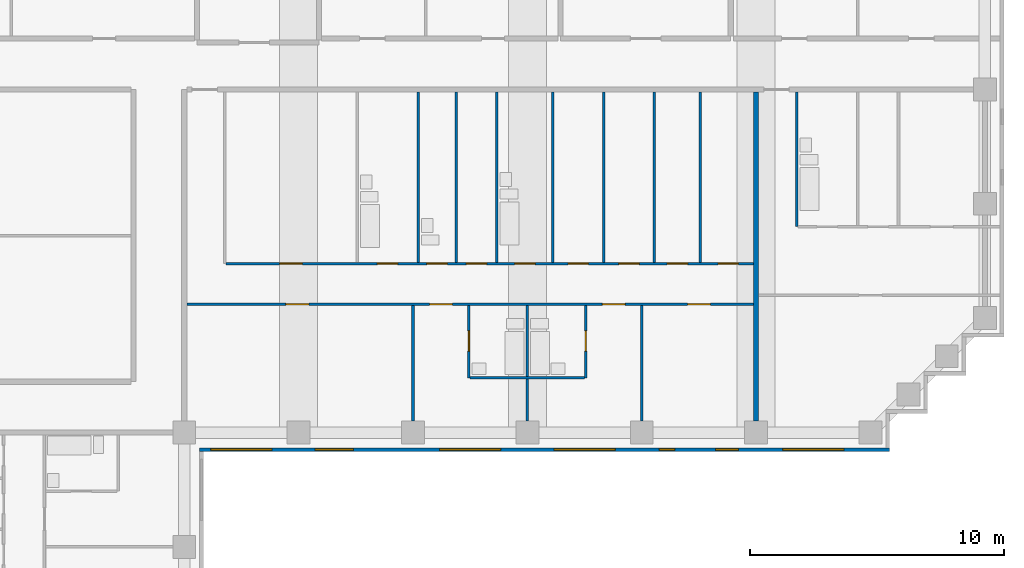
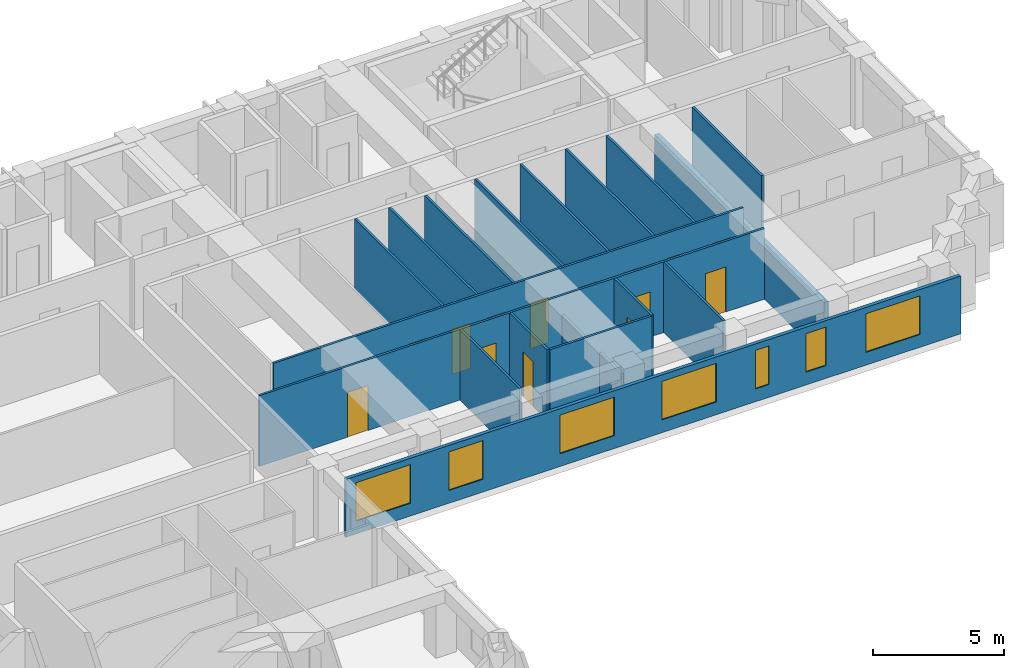
# One storey, part 6 of 10: 18 walls, 15 doors, 7 windows, 22 openings.
"""IFC4 building model written with IfcOpenShell, lengths in metres."""

from ifc_helpers import new_model, si_unit, direction, frame, frame_2d, origin, place, context, subcontext, project, spatial, rectangle, extrude, material, layer, layer_set, type_object, element, fill, save


model = new_model("IFC4")

# Units and contexts
model_context = context("Model", 3, precision=1e-05, world=origin(), true_north=direction((0.0, 1.0)))
body_context = subcontext(model_context, "Body", "Model", "MODEL_VIEW")
ifc_project = project(units=[si_unit("LENGTHUNIT", "METRE"), si_unit("AREAUNIT", "SQUARE_METRE"), si_unit("VOLUMEUNIT", "CUBIC_METRE"), si_unit("PLANEANGLEUNIT", "RADIAN"), si_unit("MASSUNIT", "GRAM", prefix="KILO")], contexts=[model_context])

# Site, building, storey
site_placement = place(None, origin())
site = spatial("IfcSite", under=ifc_project, at=site_placement, CompositionType="ELEMENT")
building_placement = place(site_placement, origin())
building = spatial("IfcBuilding", under=site, at=building_placement, Name="Firuza Court", CompositionType="ELEMENT")
storey_placement = place(building_placement, frame((0.0, 0.0, 197.0)))
storey = spatial("IfcBuildingStorey", under=building, at=storey_placement, Name="L50", CompositionType="ELEMENT", Elevation=197.0)

# Wall, opening, door
ifc_material_1 = material(Name="Moisture-resistant gypsum board partition")
ifc_layer_1 = layer(ifc_material_1, 0.10009765625)
ifc_layer_set_1 = layer_set([ifc_layer_1], Name="Moisture-resistant gypsum board partition")
wall_type_1 = type_object("IfcWallType", Name="Bathroom partition 100", PredefinedType="PLUMBINGWALL", material=ifc_layer_set_1)
wall_1_placement = place(storey_placement, frame((33.699951171875, 38.14990234375, 0.0), z_axis=(0.0, 0.0, 1.0), x_axis=(0.0, 1.0, 0.0)))
wall_1 = element("IfcWall", 1, at=wall_1_placement, inside=storey, type_object=wall_type_1, Name="Bathroom partition 100 L50", PredefinedType="PLUMBINGWALL", context=body_context, shape_type="SweptSolid", body=[
    extrude(rectangle(XDim=2.85009765625, YDim=0.10009765625, at=frame_2d((1.425048828125, 0.0))), origin(), (0.0, 0.0, 1.0), 3.300048828125),
])
opening_1_placement = place(wall_1_placement, frame((1.050048828125, 0.0, 0.0)))
opening_1 = element("IfcOpeningElement", 2, at=opening_1_placement, cuts=wall_1, Name="Opening D50037", PredefinedType="OPENING", context=body_context, shape_type="SweptSolid", body=[
    extrude(rectangle(XDim=0.800048828125, YDim=2.10009765625, at=frame_2d((0.39990234375, 1.050048828125))), frame((0.0, 0.06201171875, 0.0), z_axis=(0.0, -1.0, 0.0), x_axis=(1.0, 0.0, 0.0)), (0.0, 0.0, 1.0), 0.1240234375),
])
ifc_material_2 = material(Name="Timber door leaf in hardwood frame", Category="wood")
door_type_1 = type_object("IfcDoorType", Name="Bathroom door 800", OperationType="SINGLE_SWING_LEFT", PredefinedType="DOOR", material=ifc_material_2)
door_1_placement = place(opening_1_placement, frame((0.800048828125, 0.0, 0.0), z_axis=(0.0, 0.0, 1.0), x_axis=(-1.0, 0.0, 0.0)))
door_1 = element("IfcDoor", 3, at=door_1_placement, inside=storey, type_object=door_type_1, Name="En-suite door", OperationType="SINGLE_SWING_RIGHT", OverallHeight=2.10009765625, OverallWidth=0.800048828125, PredefinedType="DOOR", context=body_context, shape_type="SweptSolid", body=[
    extrude(rectangle(XDim=0.800048828125, YDim=2.10009765625, at=frame_2d((0.39990234375, 1.050048828125))), frame((0.0, 0.02490234375, 0.0), z_axis=(0.0, -1.0, 0.0), x_axis=(1.0, 0.0, 0.0)), (0.0, 0.0, 1.0), 0.050048828125),
])
fill(opening_1, door_1)

# Wall
wall_2_placement = place(storey_placement, frame((33.75, 38.14990234375, 0.0), z_axis=(0.0, 0.0, 1.0), x_axis=(1.0, 0.0, 0.0)))
element("IfcWall", 4, at=wall_2_placement, inside=storey, type_object=wall_type_1, Name="Bathroom partition 100 L50", PredefinedType="PLUMBINGWALL", context=body_context, shape_type="SweptSolid", body=[
    extrude(rectangle(XDim=4.5, YDim=0.10009765625, at=frame_2d((2.25, 0.0))), origin(), (0.0, 0.0, 1.0), 3.300048828125),
])

# Wall, opening, door
wall_3_placement = place(storey_placement, frame((38.300048828125, 38.14990234375, 0.0), z_axis=(0.0, 0.0, 1.0), x_axis=(0.0, 1.0, 0.0)))
wall_3 = element("IfcWall", 5, at=wall_3_placement, inside=storey, type_object=wall_type_1, Name="Bathroom partition 100 L50", PredefinedType="PLUMBINGWALL", context=body_context, shape_type="SweptSolid", body=[
    extrude(rectangle(XDim=2.85009765625, YDim=0.10009765625, at=frame_2d((1.425048828125, 0.0))), origin(), (0.0, 0.0, 1.0), 3.300048828125),
])
opening_2_placement = place(wall_3_placement, frame((1.050048828125, 0.0, 0.0)))
opening_2 = element("IfcOpeningElement", 6, at=opening_2_placement, cuts=wall_3, Name="Opening D50038", PredefinedType="OPENING", context=body_context, shape_type="SweptSolid", body=[
    extrude(rectangle(XDim=0.800048828125, YDim=2.10009765625, at=frame_2d((0.39990234375, 1.050048828125))), frame((0.0, 0.06201171875, 0.0), z_axis=(0.0, -1.0, 0.0), x_axis=(1.0, 0.0, 0.0)), (0.0, 0.0, 1.0), 0.1240234375),
])
door_2_placement = place(opening_2_placement, origin())
door_2 = element("IfcDoor", 7, at=door_2_placement, inside=storey, type_object=door_type_1, Name="En-suite door", OperationType="SINGLE_SWING_LEFT", OverallHeight=2.10009765625, OverallWidth=0.800048828125, PredefinedType="DOOR", context=body_context, shape_type="SweptSolid", body=[
    extrude(rectangle(XDim=0.800048828125, YDim=2.10009765625, at=frame_2d((0.39990234375, 1.050048828125))), frame((0.0, 0.02490234375, 0.0), z_axis=(0.0, -1.0, 0.0), x_axis=(1.0, 0.0, 0.0)), (0.0, 0.0, 1.0), 0.050048828125),
])
fill(opening_2, door_2)

# Walls
for number, where, z_axis, x_axis, name in (
    (8, (31.699951171875, 42.699951171875, 0.0), (0.0, 0.0, 1.0), (0.0, 1.0, 0.0), "Bathroom partition 100 L50"),
    (9, (33.199951171875, 42.699951171875, 0.0), (0.0, 0.0, 1.0), (0.0, 1.0, 0.0), "Bathroom partition 100 L50"),
    (10, (34.800048828125, 42.699951171875, 0.0), (0.0, 0.0, 1.0), (0.0, 1.0, 0.0), "Bathroom partition 100 L50"),
    (11, (37.0, 42.699951171875, 0.0), (0.0, 0.0, 1.0), (0.0, 1.0, 0.0), "Bathroom partition 100 L50"),
):
    element("IfcWall", number, at=place(storey_placement, frame(where, z_axis=z_axis, x_axis=x_axis)), inside=storey, type_object=wall_type_1, Name=name, PredefinedType="PLUMBINGWALL", context=body_context, shape_type="SweptSolid", body=[
        extrude(rectangle(XDim=6.699951171875, YDim=0.10009765625, at=frame_2d((3.35009765625, 0.0))), origin(), (0.0, 0.0, 1.0), 3.300048828125),
    ])
wall_4_placement = place(storey_placement, frame((46.60009765625, 44.10009765625, 0.0), z_axis=(0.0, 0.0, 1.0), x_axis=(0.0, 1.0, 0.0)))
element("IfcWall", 12, at=wall_4_placement, inside=storey, type_object=wall_type_1, Name="Bathroom partition 100 L50", PredefinedType="PLUMBINGWALL", context=body_context, shape_type="SweptSolid", body=[
    extrude(rectangle(XDim=5.2998046875, YDim=0.10009765625, at=frame_2d((2.64990234375, 0.0))), origin(), (0.0, 0.0, 1.0), 3.300048828125),
])
ifc_material_3 = material(Name="Timber stud partition, plasterboard both sides", Category="wood")
ifc_layer_2 = layer(ifc_material_3, 0.10009765625)
ifc_layer_set_2 = layer_set([ifc_layer_2], Name="Timber stud partition, plasterboard both sides")
wall_type_2 = type_object("IfcWallType", Name="Partition wall 100", PredefinedType="PARTITIONING", material=ifc_layer_set_2)
wall_5_placement = place(storey_placement, frame((31.5, 36.449951171875, 0.0), z_axis=(0.0, 0.0, 1.0), x_axis=(0.0, 1.0, 0.0)))
element("IfcWall", 13, at=wall_5_placement, inside=storey, type_object=wall_type_2, Name="Partition wall 100 L50", PredefinedType="PARTITIONING", context=body_context, shape_type="SweptSolid", body=[
    extrude(rectangle(XDim=4.550048828125, YDim=0.10009765625, at=frame_2d((2.27490234375, 0.0))), origin(), (0.0, 0.0, 1.0), 3.300048828125),
])
wall_6_placement = place(storey_placement, frame((36.0, 36.449951171875, 0.0), z_axis=(0.0, 0.0, 1.0), x_axis=(0.0, 1.0, 0.0)))
element("IfcWall", 14, at=wall_6_placement, inside=storey, type_object=wall_type_2, Name="Partition wall 100 L50", PredefinedType="PARTITIONING", context=body_context, shape_type="SweptSolid", body=[
    extrude(rectangle(XDim=4.550048828125, YDim=0.10009765625, at=frame_2d((2.27490234375, 0.0))), origin(), (0.0, 0.0, 1.0), 2.39990234375),
])
wall_7_placement = place(storey_placement, frame((40.5, 36.449951171875, 0.0), z_axis=(0.0, 0.0, 1.0), x_axis=(0.0, 1.0, 0.0)))
element("IfcWall", 15, at=wall_7_placement, inside=storey, type_object=wall_type_2, Name="Partition wall 100 L50", PredefinedType="PARTITIONING", context=body_context, shape_type="SweptSolid", body=[
    extrude(rectangle(XDim=4.550048828125, YDim=0.10009765625, at=frame_2d((2.27490234375, 0.0))), origin(), (0.0, 0.0, 1.0), 3.300048828125),
])

# Wall, openings, doors
wall_8_placement = place(storey_placement, frame((22.60009765625, 41.050048828125, 0.0), z_axis=(0.0, 0.0, 1.0), x_axis=(1.0, 0.0, 0.0)))
wall_8 = element("IfcWall", 16, at=wall_8_placement, inside=storey, type_object=wall_type_2, Name="Partition wall 100 L50", PredefinedType="PARTITIONING", context=body_context, shape_type="SweptSolid", body=[
    extrude(rectangle(XDim=22.2998046875, YDim=0.10009765625, at=frame_2d((11.14990234375, 0.0))), origin(), (0.0, 0.0, 1.0), 3.300048828125),
])
opening_3_placement = place(wall_8_placement, frame((3.89990234375, 0.0, 0.0)))
opening_3 = element("IfcOpeningElement", 17, at=opening_3_placement, cuts=wall_8, Name="Opening D50039", PredefinedType="OPENING", context=body_context, shape_type="SweptSolid", body=[
    extrude(rectangle(XDim=0.89990234375, YDim=2.10009765625, at=frame_2d((0.449951171875, 1.050048828125))), frame((0.0, 0.06201171875, 0.0), z_axis=(0.0, -1.0, 0.0), x_axis=(1.0, 0.0, 0.0)), (0.0, 0.0, 1.0), 0.1240234375),
])
opening_4_placement = place(wall_8_placement, frame((9.550048828125, 0.0, 0.0)))
opening_4 = element("IfcOpeningElement", 18, at=opening_4_placement, cuts=wall_8, Name="Opening D50040", PredefinedType="OPENING", context=body_context, shape_type="SweptSolid", body=[
    extrude(rectangle(XDim=0.89990234375, YDim=2.10009765625, at=frame_2d((0.449951171875, 1.050048828125))), frame((0.0, 0.06201171875, 0.0), z_axis=(0.0, -1.0, 0.0), x_axis=(1.0, 0.0, 0.0)), (0.0, 0.0, 1.0), 0.1240234375),
])
opening_5_placement = place(wall_8_placement, frame((16.35009765625, 0.0, 0.0)))
opening_5 = element("IfcOpeningElement", 19, at=opening_5_placement, cuts=wall_8, Name="Opening D50041", PredefinedType="OPENING", context=body_context, shape_type="SweptSolid", body=[
    extrude(rectangle(XDim=0.89990234375, YDim=2.10009765625, at=frame_2d((0.449951171875, 1.050048828125))), frame((0.0, 0.06201171875, 0.0), z_axis=(0.0, -1.0, 0.0), x_axis=(1.0, 0.0, 0.0)), (0.0, 0.0, 1.0), 0.1240234375),
])
opening_6_placement = place(wall_8_placement, frame((19.699951171875, 0.0, 0.0)))
opening_6 = element("IfcOpeningElement", 20, at=opening_6_placement, cuts=wall_8, Name="Opening D50042", PredefinedType="OPENING", context=body_context, shape_type="SweptSolid", body=[
    extrude(rectangle(XDim=0.89990234375, YDim=2.10009765625, at=frame_2d((0.449951171875, 1.050048828125))), frame((0.0, 0.06201171875, 0.0), z_axis=(0.0, -1.0, 0.0), x_axis=(1.0, 0.0, 0.0)), (0.0, 0.0, 1.0), 0.1240234375),
])
ifc_material_4 = material(Name="Timber door leaf in hardwood frame", Category="wood")
door_type_2 = type_object("IfcDoorType", Name="Room door 900", OperationType="SINGLE_SWING_LEFT", PredefinedType="DOOR", material=ifc_material_4)
door_3_placement = place(opening_3_placement, frame((0.89990234375, 0.0, 0.0), z_axis=(0.0, 0.0, 1.0), x_axis=(-1.0, 0.0, 0.0)))
door_3 = element("IfcDoor", 21, at=door_3_placement, inside=storey, type_object=door_type_2, Name="Living room door", OperationType="SINGLE_SWING_RIGHT", OverallHeight=2.10009765625, OverallWidth=0.89990234375, PredefinedType="DOOR", context=body_context, shape_type="SweptSolid", body=[
    extrude(rectangle(XDim=0.89990234375, YDim=2.10009765625, at=frame_2d((0.449951171875, 1.050048828125))), frame((0.0, 0.02490234375, 0.0), z_axis=(0.0, -1.0, 0.0), x_axis=(1.0, 0.0, 0.0)), (0.0, 0.0, 1.0), 0.050048828125),
])
fill(opening_3, door_3)
door_4_placement = place(opening_4_placement, frame((0.89990234375, 0.0, 0.0), z_axis=(0.0, 0.0, 1.0), x_axis=(-1.0, 0.0, 0.0)))
door_4 = element("IfcDoor", 22, at=door_4_placement, inside=storey, type_object=door_type_2, Name="Bedroom door", OperationType="SINGLE_SWING_RIGHT", OverallHeight=2.10009765625, OverallWidth=0.89990234375, PredefinedType="DOOR", context=body_context, shape_type="SweptSolid", body=[
    extrude(rectangle(XDim=0.89990234375, YDim=2.10009765625, at=frame_2d((0.449951171875, 1.050048828125))), frame((0.0, 0.02490234375, 0.0), z_axis=(0.0, -1.0, 0.0), x_axis=(1.0, 0.0, 0.0)), (0.0, 0.0, 1.0), 0.050048828125),
])
fill(opening_4, door_4)
door_5_placement = place(opening_5_placement, frame((0.89990234375, 0.0, 0.0), z_axis=(0.0, 0.0, 1.0), x_axis=(-1.0, 0.0, 0.0)))
door_5 = element("IfcDoor", 23, at=door_5_placement, inside=storey, type_object=door_type_2, Name="Bedroom door", OperationType="SINGLE_SWING_LEFT", OverallHeight=2.10009765625, OverallWidth=0.89990234375, PredefinedType="DOOR", context=body_context, shape_type="SweptSolid", body=[
    extrude(rectangle(XDim=0.89990234375, YDim=2.10009765625, at=frame_2d((0.449951171875, 1.050048828125))), frame((0.0, 0.02490234375, 0.0), z_axis=(0.0, -1.0, 0.0), x_axis=(1.0, 0.0, 0.0)), (0.0, 0.0, 1.0), 0.050048828125),
])
fill(opening_5, door_5)
door_6_placement = place(opening_6_placement, frame((0.89990234375, 0.0, 0.0), z_axis=(0.0, 0.0, 1.0), x_axis=(-1.0, 0.0, 0.0)))
door_6 = element("IfcDoor", 24, at=door_6_placement, inside=storey, type_object=door_type_2, Name="Bedroom door", OperationType="SINGLE_SWING_RIGHT", OverallHeight=2.10009765625, OverallWidth=0.89990234375, PredefinedType="DOOR", context=body_context, shape_type="SweptSolid", body=[
    extrude(rectangle(XDim=0.89990234375, YDim=2.10009765625, at=frame_2d((0.449951171875, 1.050048828125))), frame((0.0, 0.02490234375, 0.0), z_axis=(0.0, -1.0, 0.0), x_axis=(1.0, 0.0, 0.0)), (0.0, 0.0, 1.0), 0.050048828125),
])
fill(opening_6, door_6)

wall_9_placement = place(storey_placement, frame((24.14990234375, 42.64990234375, 0.0), z_axis=(0.0, 0.0, 1.0), x_axis=(1.0, 0.0, 0.0)))
wall_9 = element("IfcWall", 25, at=wall_9_placement, inside=storey, type_object=wall_type_2, Name="Partition wall 100 L50", PredefinedType="PARTITIONING", context=body_context, shape_type="SweptSolid", body=[
    extrude(rectangle(XDim=20.75, YDim=0.10009765625, at=frame_2d((10.375, 0.0))), origin(), (0.0, 0.0, 1.0), 3.300048828125),
])
opening_7_placement = place(wall_9_placement, frame((5.949951171875, 0.0, 0.0)))
opening_7 = element("IfcOpeningElement", 26, at=opening_7_placement, cuts=wall_9, Name="Opening D50044", PredefinedType="OPENING", context=body_context, shape_type="SweptSolid", body=[
    extrude(rectangle(XDim=0.800048828125, YDim=2.10009765625, at=frame_2d((0.39990234375, 1.050048828125))), frame((0.0, 0.06201171875, 0.0), z_axis=(0.0, -1.0, 0.0), x_axis=(1.0, 0.0, 0.0)), (0.0, 0.0, 1.0), 0.1240234375),
])
opening_8_placement = place(wall_9_placement, frame((11.35009765625, 0.0, 0.0)))
opening_8 = element("IfcOpeningElement", 27, at=opening_8_placement, cuts=wall_9, Name="Opening D50045", PredefinedType="OPENING", context=body_context, shape_type="SweptSolid", body=[
    extrude(rectangle(XDim=0.800048828125, YDim=2.10009765625, at=frame_2d((0.39990234375, 1.050048828125))), frame((0.0, 0.06201171875, 0.0), z_axis=(0.0, -1.0, 0.0), x_axis=(1.0, 0.0, 0.0)), (0.0, 0.0, 1.0), 0.1240234375),
])
opening_9_placement = place(wall_9_placement, frame((2.10009765625, 0.0, 0.0)))
opening_9 = element("IfcOpeningElement", 28, at=opening_9_placement, cuts=wall_9, Name="Opening D50046", PredefinedType="OPENING", context=body_context, shape_type="SweptSolid", body=[
    extrude(rectangle(XDim=0.89990234375, YDim=2.10009765625, at=frame_2d((0.449951171875, 1.050048828125))), frame((0.0, 0.06201171875, 0.0), z_axis=(0.0, -1.0, 0.0), x_axis=(1.0, 0.0, 0.0)), (0.0, 0.0, 1.0), 0.1240234375),
])
opening_10_placement = place(wall_9_placement, frame((19.35009765625, 0.0, 0.0)))
opening_10 = element("IfcOpeningElement", 29, at=opening_10_placement, cuts=wall_9, Name="Opening D50047", PredefinedType="OPENING", context=body_context, shape_type="SweptSolid", body=[
    extrude(rectangle(XDim=0.800048828125, YDim=2.10009765625, at=frame_2d((0.39990234375, 1.050048828125))), frame((0.0, 0.06201171875, 0.0), z_axis=(0.0, -1.0, 0.0), x_axis=(1.0, 0.0, 0.0)), (0.0, 0.0, 1.0), 0.1240234375),
])
opening_11_placement = place(wall_9_placement, frame((15.449951171875, 0.0, 0.0)))
opening_11 = element("IfcOpeningElement", 30, at=opening_11_placement, cuts=wall_9, Name="Opening D50048", PredefinedType="OPENING", context=body_context, shape_type="SweptSolid", body=[
    extrude(rectangle(XDim=0.800048828125, YDim=2.10009765625, at=frame_2d((0.39990234375, 1.050048828125))), frame((0.0, 0.06201171875, 0.0), z_axis=(0.0, -1.0, 0.0), x_axis=(1.0, 0.0, 0.0)), (0.0, 0.0, 1.0), 0.1240234375),
])
opening_12_placement = place(wall_9_placement, frame((9.449951171875, 0.0, 0.0)))
opening_12 = element("IfcOpeningElement", 31, at=opening_12_placement, cuts=wall_9, Name="Opening D50049", PredefinedType="OPENING", context=body_context, shape_type="SweptSolid", body=[
    extrude(rectangle(XDim=0.800048828125, YDim=2.10009765625, at=frame_2d((0.39990234375, 1.050048828125))), frame((0.0, 0.06201171875, 0.0), z_axis=(0.0, -1.0, 0.0), x_axis=(1.0, 0.0, 0.0)), (0.0, 0.0, 1.0), 0.1240234375),
])
opening_13_placement = place(wall_9_placement, frame((13.449951171875, 0.0, 0.0)))
opening_13 = element("IfcOpeningElement", 32, at=opening_13_placement, cuts=wall_9, Name="Opening D50050", PredefinedType="OPENING", context=body_context, shape_type="SweptSolid", body=[
    extrude(rectangle(XDim=0.800048828125, YDim=2.10009765625, at=frame_2d((0.39990234375, 1.050048828125))), frame((0.0, 0.06201171875, 0.0), z_axis=(0.0, -1.0, 0.0), x_axis=(1.0, 0.0, 0.0)), (0.0, 0.0, 1.0), 0.1240234375),
])
opening_14_placement = place(wall_9_placement, frame((17.35009765625, 0.0, 0.0)))
opening_14 = element("IfcOpeningElement", 33, at=opening_14_placement, cuts=wall_9, Name="Opening D50051", PredefinedType="OPENING", context=body_context, shape_type="SweptSolid", body=[
    extrude(rectangle(XDim=0.800048828125, YDim=2.10009765625, at=frame_2d((0.39990234375, 1.050048828125))), frame((0.0, 0.06201171875, 0.0), z_axis=(0.0, -1.0, 0.0), x_axis=(1.0, 0.0, 0.0)), (0.0, 0.0, 1.0), 0.1240234375),
])
opening_15_placement = place(wall_9_placement, frame((7.89990234375, 0.0, 0.0)))
opening_15 = element("IfcOpeningElement", 34, at=opening_15_placement, cuts=wall_9, Name="Opening D50052", PredefinedType="OPENING", context=body_context, shape_type="SweptSolid", body=[
    extrude(rectangle(XDim=0.800048828125, YDim=2.10009765625, at=frame_2d((0.39990234375, 1.050048828125))), frame((0.0, 0.06201171875, 0.0), z_axis=(0.0, -1.0, 0.0), x_axis=(1.0, 0.0, 0.0)), (0.0, 0.0, 1.0), 0.1240234375),
])
door_7_placement = place(opening_7_placement, origin())
door_7 = element("IfcDoor", 35, at=door_7_placement, inside=storey, type_object=door_type_1, Name="Bathroom door", OperationType="SINGLE_SWING_LEFT", OverallHeight=2.10009765625, OverallWidth=0.800048828125, PredefinedType="DOOR", context=body_context, shape_type="SweptSolid", body=[
    extrude(rectangle(XDim=0.800048828125, YDim=2.10009765625, at=frame_2d((0.39990234375, 1.050048828125))), frame((0.0, 0.02490234375, 0.0), z_axis=(0.0, -1.0, 0.0), x_axis=(1.0, 0.0, 0.0)), (0.0, 0.0, 1.0), 0.050048828125),
])
fill(opening_7, door_7)
door_8_placement = place(opening_8_placement, origin())
door_8 = element("IfcDoor", 36, at=door_8_placement, inside=storey, type_object=door_type_1, Name="Bathroom 2 door", OperationType="SINGLE_SWING_LEFT", OverallHeight=2.10009765625, OverallWidth=0.800048828125, PredefinedType="DOOR", context=body_context, shape_type="SweptSolid", body=[
    extrude(rectangle(XDim=0.800048828125, YDim=2.10009765625, at=frame_2d((0.39990234375, 1.050048828125))), frame((0.0, 0.02490234375, 0.0), z_axis=(0.0, -1.0, 0.0), x_axis=(1.0, 0.0, 0.0)), (0.0, 0.0, 1.0), 0.050048828125),
])
fill(opening_8, door_8)
door_9_placement = place(opening_15_placement, origin())
door_9 = element("IfcDoor", 37, at=door_9_placement, inside=storey, type_object=door_type_1, Name="Powder room door", OperationType="SINGLE_SWING_LEFT", OverallHeight=2.10009765625, OverallWidth=0.800048828125, PredefinedType="DOOR", context=body_context, shape_type="SweptSolid", body=[
    extrude(rectangle(XDim=0.800048828125, YDim=2.10009765625, at=frame_2d((0.39990234375, 1.050048828125))), frame((0.0, 0.02490234375, 0.0), z_axis=(0.0, -1.0, 0.0), x_axis=(1.0, 0.0, 0.0)), (0.0, 0.0, 1.0), 0.050048828125),
])
fill(opening_15, door_9)
ifc_material_5 = material(Name="Timber door leaf in hardwood frame", Category="wood")
door_type_3 = type_object("IfcDoorType", Name="Room door 800", OperationType="SINGLE_SWING_LEFT", PredefinedType="DOOR", material=ifc_material_5)
door_10_placement = place(opening_10_placement, origin())
door_10 = element("IfcDoor", 38, at=door_10_placement, inside=storey, type_object=door_type_3, Name="Laundry door", OperationType="SINGLE_SWING_LEFT", OverallHeight=2.10009765625, OverallWidth=0.800048828125, PredefinedType="DOOR", context=body_context, shape_type="SweptSolid", body=[
    extrude(rectangle(XDim=0.800048828125, YDim=2.10009765625, at=frame_2d((0.39990234375, 1.050048828125))), frame((0.0, 0.02490234375, 0.0), z_axis=(0.0, -1.0, 0.0), x_axis=(1.0, 0.0, 0.0)), (0.0, 0.0, 1.0), 0.050048828125),
])
fill(opening_10, door_10)
door_11_placement = place(opening_11_placement, origin())
door_11 = element("IfcDoor", 39, at=door_11_placement, inside=storey, type_object=door_type_3, Name="Pantry door", OperationType="SINGLE_SWING_LEFT", OverallHeight=2.10009765625, OverallWidth=0.800048828125, PredefinedType="DOOR", context=body_context, shape_type="SweptSolid", body=[
    extrude(rectangle(XDim=0.800048828125, YDim=2.10009765625, at=frame_2d((0.39990234375, 1.050048828125))), frame((0.0, 0.02490234375, 0.0), z_axis=(0.0, -1.0, 0.0), x_axis=(1.0, 0.0, 0.0)), (0.0, 0.0, 1.0), 0.050048828125),
])
fill(opening_11, door_11)
door_12_placement = place(opening_12_placement, origin())
door_12 = element("IfcDoor", 40, at=door_12_placement, inside=storey, type_object=door_type_3, Name="Store door", OperationType="SINGLE_SWING_LEFT", OverallHeight=2.10009765625, OverallWidth=0.800048828125, PredefinedType="DOOR", context=body_context, shape_type="SweptSolid", body=[
    extrude(rectangle(XDim=0.800048828125, YDim=2.10009765625, at=frame_2d((0.39990234375, 1.050048828125))), frame((0.0, 0.02490234375, 0.0), z_axis=(0.0, -1.0, 0.0), x_axis=(1.0, 0.0, 0.0)), (0.0, 0.0, 1.0), 0.050048828125),
])
fill(opening_12, door_12)
door_13_placement = place(opening_13_placement, origin())
door_13 = element("IfcDoor", 41, at=door_13_placement, inside=storey, type_object=door_type_3, Name="Utility room door", OperationType="SINGLE_SWING_LEFT", OverallHeight=2.10009765625, OverallWidth=0.800048828125, PredefinedType="DOOR", context=body_context, shape_type="SweptSolid", body=[
    extrude(rectangle(XDim=0.800048828125, YDim=2.10009765625, at=frame_2d((0.39990234375, 1.050048828125))), frame((0.0, 0.02490234375, 0.0), z_axis=(0.0, -1.0, 0.0), x_axis=(1.0, 0.0, 0.0)), (0.0, 0.0, 1.0), 0.050048828125),
])
fill(opening_13, door_13)
door_14_placement = place(opening_14_placement, origin())
door_14 = element("IfcDoor", 42, at=door_14_placement, inside=storey, type_object=door_type_3, Name="Walk-in wardrobe door", OperationType="SINGLE_SWING_LEFT", OverallHeight=2.10009765625, OverallWidth=0.800048828125, PredefinedType="DOOR", context=body_context, shape_type="SweptSolid", body=[
    extrude(rectangle(XDim=0.800048828125, YDim=2.10009765625, at=frame_2d((0.39990234375, 1.050048828125))), frame((0.0, 0.02490234375, 0.0), z_axis=(0.0, -1.0, 0.0), x_axis=(1.0, 0.0, 0.0)), (0.0, 0.0, 1.0), 0.050048828125),
])
fill(opening_14, door_14)
door_15_placement = place(opening_9_placement, origin())
door_15 = element("IfcDoor", 43, at=door_15_placement, inside=storey, type_object=door_type_2, Name="Kitchen door", OperationType="SINGLE_SWING_LEFT", OverallHeight=2.10009765625, OverallWidth=0.89990234375, PredefinedType="DOOR", context=body_context, shape_type="SweptSolid", body=[
    extrude(rectangle(XDim=0.89990234375, YDim=2.10009765625, at=frame_2d((0.449951171875, 1.050048828125))), frame((0.0, 0.02490234375, 0.0), z_axis=(0.0, -1.0, 0.0), x_axis=(1.0, 0.0, 0.0)), (0.0, 0.0, 1.0), 0.050048828125),
])
fill(opening_9, door_15)

# Walls
for number, where, z_axis, x_axis, name in (
    (44, (39.0, 42.699951171875, 0.0), (0.0, 0.0, 1.0), (0.0, 1.0, 0.0), "Partition wall 100 L50"),
    (45, (41.0, 42.699951171875, 0.0), (0.0, 0.0, 1.0), (0.0, 1.0, 0.0), "Partition wall 100 L50"),
    (46, (42.800048828125, 42.699951171875, 0.0), (0.0, 0.0, 1.0), (0.0, 1.0, 0.0), "Partition wall 100 L50"),
):
    element("IfcWall", number, at=place(storey_placement, frame(where, z_axis=z_axis, x_axis=x_axis)), inside=storey, type_object=wall_type_2, Name=name, PredefinedType="PARTITIONING", context=body_context, shape_type="SweptSolid", body=[
        extrude(rectangle(XDim=6.699951171875, YDim=0.10009765625, at=frame_2d((3.35009765625, 0.0))), origin(), (0.0, 0.0, 1.0), 3.300048828125),
    ])
ifc_material_6 = material(Name="Blockwork, plastered both sides", Category="masonry")
ifc_layer_3 = layer(ifc_material_6, 0.199951171875)
ifc_layer_set_3 = layer_set([ifc_layer_3], Name="Blockwork, plastered both sides")
wall_type_3 = type_object("IfcWallType", Name="Party wall 200", PredefinedType="PARTITIONING", material=ifc_layer_set_3)
wall_10_placement = place(storey_placement, frame((45.0, 36.449951171875, 0.0), z_axis=(0.0, 0.0, 1.0), x_axis=(0.0, 1.0, 0.0)))
element("IfcWall", 47, at=wall_10_placement, inside=storey, type_object=wall_type_3, Name="Party wall 200 L50", PredefinedType="PARTITIONING", context=body_context, shape_type="SweptSolid", body=[
    extrude(rectangle(XDim=12.949951171875, YDim=0.199951171875, at=frame_2d((6.47509765625, 0.0))), origin(), (0.0, 0.0, 1.0), 2.60009765625),
])

# Wall, openings, windows
ifc_material_7 = material(Name="Ceramic tile", Category="ceramic")
ifc_layer_4 = layer(ifc_material_7, 0.02001953125)
ifc_material_8 = material(Name="Mineral wool insulation", Category="insulation")
ifc_layer_5 = layer(ifc_material_8, 0.050048828125)
ifc_material_9 = material(Name="Concrete C40/50 precast", Category="concrete")
ifc_layer_6 = layer(ifc_material_9, 0.080078125)
ifc_layer_set_4 = layer_set([ifc_layer_4, ifc_layer_5, ifc_layer_6], Name="Concrete C40/50 precast")
wall_type_4 = type_object("IfcWallType", Name="Precast cladding wall with turquoise TILE PANEL face 150", PredefinedType="STANDARD", material=ifc_layer_set_4)
wall_11_placement = place(storey_placement, frame((23.10009765625, 35.324951171875, 0.0), z_axis=(0.0, 0.0, 1.0), x_axis=(1.0, 0.0, 0.0)))
wall_11 = element("IfcWall", 48, at=wall_11_placement, inside=storey, type_object=wall_type_4, Name="Facade wall L50 S", PredefinedType="STANDARD", context=body_context, shape_type="SweptSolid", body=[
    extrude(rectangle(XDim=27.14990234375, YDim=0.14990234375, at=frame_2d((13.574951171875, 0.0))), origin(), (0.0, 0.0, 1.0), 2.699951171875),
])
opening_16_placement = place(wall_11_placement, frame((0.449951171875, 0.0, 0.60009765625)))
opening_16 = element("IfcOpeningElement", 49, at=opening_16_placement, cuts=wall_11, Name="Opening W1", PredefinedType="OPENING", context=body_context, shape_type="SweptSolid", body=[
    extrude(rectangle(XDim=2.39990234375, YDim=1.800048828125, at=frame_2d((1.199951171875, 0.89990234375))), frame((0.0, 0.0869140625, 0.0), z_axis=(0.0, -1.0, 0.0), x_axis=(1.0, 0.0, 0.0)), (0.0, 0.0, 1.0), 0.173828125),
])
opening_17_placement = place(wall_11_placement, frame((4.5517578125, 0.0, 0.60009765625)))
opening_17 = element("IfcOpeningElement", 50, at=opening_17_placement, cuts=wall_11, Name="Opening W2", PredefinedType="OPENING", context=body_context, shape_type="SweptSolid", body=[
    extrude(rectangle(XDim=1.5, YDim=1.800048828125, at=frame_2d((0.75, 0.89990234375))), frame((0.0, 0.0869140625, 0.0), z_axis=(0.0, -1.0, 0.0), x_axis=(1.0, 0.0, 0.0)), (0.0, 0.0, 1.0), 0.173828125),
])
opening_18_placement = place(wall_11_placement, frame((9.449951171875, 0.0, 0.60009765625)))
opening_18 = element("IfcOpeningElement", 51, at=opening_18_placement, cuts=wall_11, Name="Opening W1", PredefinedType="OPENING", context=body_context, shape_type="SweptSolid", body=[
    extrude(rectangle(XDim=2.39990234375, YDim=1.800048828125, at=frame_2d((1.199951171875, 0.89990234375))), frame((0.0, 0.0869140625, 0.0), z_axis=(0.0, -1.0, 0.0), x_axis=(1.0, 0.0, 0.0)), (0.0, 0.0, 1.0), 0.173828125),
])
opening_19_placement = place(wall_11_placement, frame((13.949951171875, 0.0, 0.60009765625)))
opening_19 = element("IfcOpeningElement", 52, at=opening_19_placement, cuts=wall_11, Name="Opening W1", PredefinedType="OPENING", context=body_context, shape_type="SweptSolid", body=[
    extrude(rectangle(XDim=2.39990234375, YDim=1.800048828125, at=frame_2d((1.199951171875, 0.89990234375))), frame((0.0, 0.0869140625, 0.0), z_axis=(0.0, -1.0, 0.0), x_axis=(1.0, 0.0, 0.0)), (0.0, 0.0, 1.0), 0.173828125),
])
opening_20_placement = place(wall_11_placement, frame((18.08837890625, 0.0, 0.60009765625)))
opening_20 = element("IfcOpeningElement", 53, at=opening_20_placement, cuts=wall_11, Name="Opening W4", PredefinedType="OPENING", context=body_context, shape_type="SweptSolid", body=[
    extrude(rectangle(XDim=0.60009765625, YDim=1.800048828125, at=frame_2d((0.300048828125, 0.89990234375))), frame((0.0, 0.0869140625, 0.0), z_axis=(0.0, -1.0, 0.0), x_axis=(1.0, 0.0, 0.0)), (0.0, 0.0, 1.0), 0.173828125),
])
opening_21_placement = place(wall_11_placement, frame((20.301025390625, 0.0, 0.60009765625)))
opening_21 = element("IfcOpeningElement", 54, at=opening_21_placement, cuts=wall_11, Name="Opening W3", PredefinedType="OPENING", context=body_context, shape_type="SweptSolid", body=[
    extrude(rectangle(XDim=0.89990234375, YDim=1.800048828125, at=frame_2d((0.449951171875, 0.89990234375))), frame((0.0, 0.0869140625, 0.0), z_axis=(0.0, -1.0, 0.0), x_axis=(1.0, 0.0, 0.0)), (0.0, 0.0, 1.0), 0.173828125),
])
opening_22_placement = place(wall_11_placement, frame((22.949951171875, 0.0, 0.60009765625)))
opening_22 = element("IfcOpeningElement", 55, at=opening_22_placement, cuts=wall_11, Name="Opening W1", PredefinedType="OPENING", context=body_context, shape_type="SweptSolid", body=[
    extrude(rectangle(XDim=2.39990234375, YDim=1.800048828125, at=frame_2d((1.199951171875, 0.89990234375))), frame((0.0, 0.0869140625, 0.0), z_axis=(0.0, -1.0, 0.0), x_axis=(1.0, 0.0, 0.0)), (0.0, 0.0, 1.0), 0.173828125),
])
ifc_material_10 = material(Name="Aluminium frame, triple clear glazing", Category="aluminium")
window_type_1 = type_object("IfcWindowType", Name="Window W1 2400 x 1800", PartitioningType="SINGLE_PANEL", PredefinedType="WINDOW", material=ifc_material_10)
window_1_placement = place(opening_16_placement, origin())
window_1 = element("IfcWindow", 56, at=window_1_placement, inside=storey, type_object=window_type_1, Name="Window L50", OverallHeight=1.800048828125, OverallWidth=2.39990234375, PartitioningType="SINGLE_PANEL", PredefinedType="WINDOW", context=body_context, shape_type="SweptSolid", body=[
    extrude(rectangle(XDim=2.39990234375, YDim=1.800048828125, at=frame_2d((1.199951171875, 0.89990234375))), frame((0.0, 0.030029296875, 0.0), z_axis=(0.0, -1.0, 0.0), x_axis=(1.0, 0.0, 0.0)), (0.0, 0.0, 1.0), 0.06005859375),
])
fill(opening_16, window_1)
window_2_placement = place(opening_18_placement, origin())
window_2 = element("IfcWindow", 57, at=window_2_placement, inside=storey, type_object=window_type_1, Name="Window L50", OverallHeight=1.800048828125, OverallWidth=2.39990234375, PartitioningType="SINGLE_PANEL", PredefinedType="WINDOW", context=body_context, shape_type="SweptSolid", body=[
    extrude(rectangle(XDim=2.39990234375, YDim=1.800048828125, at=frame_2d((1.199951171875, 0.89990234375))), frame((0.0, 0.030029296875, 0.0), z_axis=(0.0, -1.0, 0.0), x_axis=(1.0, 0.0, 0.0)), (0.0, 0.0, 1.0), 0.06005859375),
])
fill(opening_18, window_2)
window_3_placement = place(opening_19_placement, origin())
window_3 = element("IfcWindow", 58, at=window_3_placement, inside=storey, type_object=window_type_1, Name="Window L50", OverallHeight=1.800048828125, OverallWidth=2.39990234375, PartitioningType="SINGLE_PANEL", PredefinedType="WINDOW", context=body_context, shape_type="SweptSolid", body=[
    extrude(rectangle(XDim=2.39990234375, YDim=1.800048828125, at=frame_2d((1.199951171875, 0.89990234375))), frame((0.0, 0.030029296875, 0.0), z_axis=(0.0, -1.0, 0.0), x_axis=(1.0, 0.0, 0.0)), (0.0, 0.0, 1.0), 0.06005859375),
])
fill(opening_19, window_3)
window_4_placement = place(opening_22_placement, origin())
window_4 = element("IfcWindow", 59, at=window_4_placement, inside=storey, type_object=window_type_1, Name="Window L50", OverallHeight=1.800048828125, OverallWidth=2.39990234375, PartitioningType="SINGLE_PANEL", PredefinedType="WINDOW", context=body_context, shape_type="SweptSolid", body=[
    extrude(rectangle(XDim=2.39990234375, YDim=1.800048828125, at=frame_2d((1.199951171875, 0.89990234375))), frame((0.0, 0.030029296875, 0.0), z_axis=(0.0, -1.0, 0.0), x_axis=(1.0, 0.0, 0.0)), (0.0, 0.0, 1.0), 0.06005859375),
])
fill(opening_22, window_4)
ifc_material_11 = material(Name="Aluminium frame, triple clear glazing", Category="aluminium")
window_type_2 = type_object("IfcWindowType", Name="Window W2 1500 x 1800", PartitioningType="SINGLE_PANEL", PredefinedType="WINDOW", material=ifc_material_11)
window_5_placement = place(opening_17_placement, origin())
window_5 = element("IfcWindow", 60, at=window_5_placement, inside=storey, type_object=window_type_2, Name="Window L50", OverallHeight=1.800048828125, OverallWidth=1.5, PartitioningType="SINGLE_PANEL", PredefinedType="WINDOW", context=body_context, shape_type="SweptSolid", body=[
    extrude(rectangle(XDim=1.5, YDim=1.800048828125, at=frame_2d((0.75, 0.89990234375))), frame((0.0, 0.030029296875, 0.0), z_axis=(0.0, -1.0, 0.0), x_axis=(1.0, 0.0, 0.0)), (0.0, 0.0, 1.0), 0.06005859375),
])
fill(opening_17, window_5)
ifc_material_12 = material(Name="Aluminium frame, triple clear glazing", Category="aluminium")
window_type_3 = type_object("IfcWindowType", Name="Window W3 900 x 1800", PartitioningType="SINGLE_PANEL", PredefinedType="WINDOW", material=ifc_material_12)
window_6_placement = place(opening_21_placement, origin())
window_6 = element("IfcWindow", 61, at=window_6_placement, inside=storey, type_object=window_type_3, Name="Window L50", OverallHeight=1.800048828125, OverallWidth=0.89990234375, PartitioningType="SINGLE_PANEL", PredefinedType="WINDOW", context=body_context, shape_type="SweptSolid", body=[
    extrude(rectangle(XDim=0.89990234375, YDim=1.800048828125, at=frame_2d((0.449951171875, 0.89990234375))), frame((0.0, 0.030029296875, 0.0), z_axis=(0.0, -1.0, 0.0), x_axis=(1.0, 0.0, 0.0)), (0.0, 0.0, 1.0), 0.06005859375),
])
fill(opening_21, window_6)
ifc_material_13 = material(Name="Aluminium frame, triple clear glazing", Category="aluminium")
window_type_4 = type_object("IfcWindowType", Name="Window W4 600 x 1800", PartitioningType="SINGLE_PANEL", PredefinedType="WINDOW", material=ifc_material_13)
window_7_placement = place(opening_20_placement, origin())
window_7 = element("IfcWindow", 62, at=window_7_placement, inside=storey, type_object=window_type_4, Name="Window L50", OverallHeight=1.800048828125, OverallWidth=0.60009765625, PartitioningType="SINGLE_PANEL", PredefinedType="WINDOW", context=body_context, shape_type="SweptSolid", body=[
    extrude(rectangle(XDim=0.60009765625, YDim=1.800048828125, at=frame_2d((0.300048828125, 0.89990234375))), frame((0.0, 0.030029296875, 0.0), z_axis=(0.0, -1.0, 0.0), x_axis=(1.0, 0.0, 0.0)), (0.0, 0.0, 1.0), 0.06005859375),
])
fill(opening_20, window_7)

save(model, "model.ifc")
